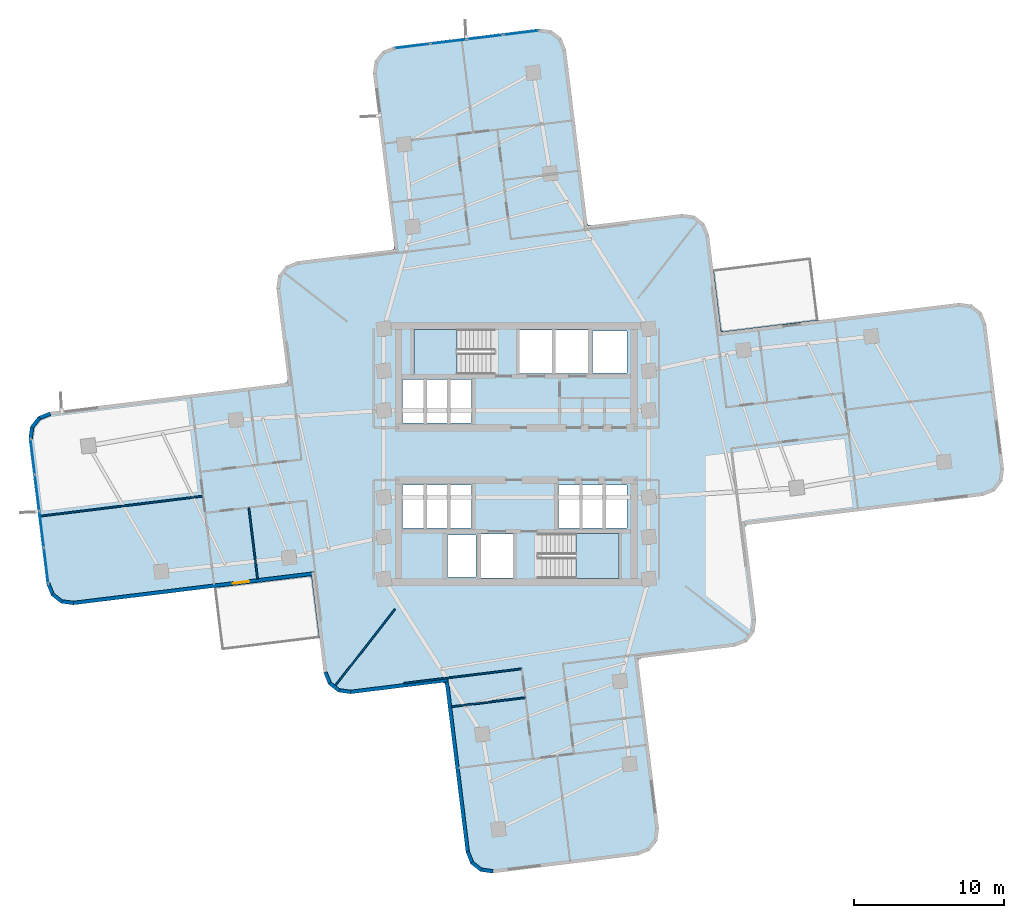
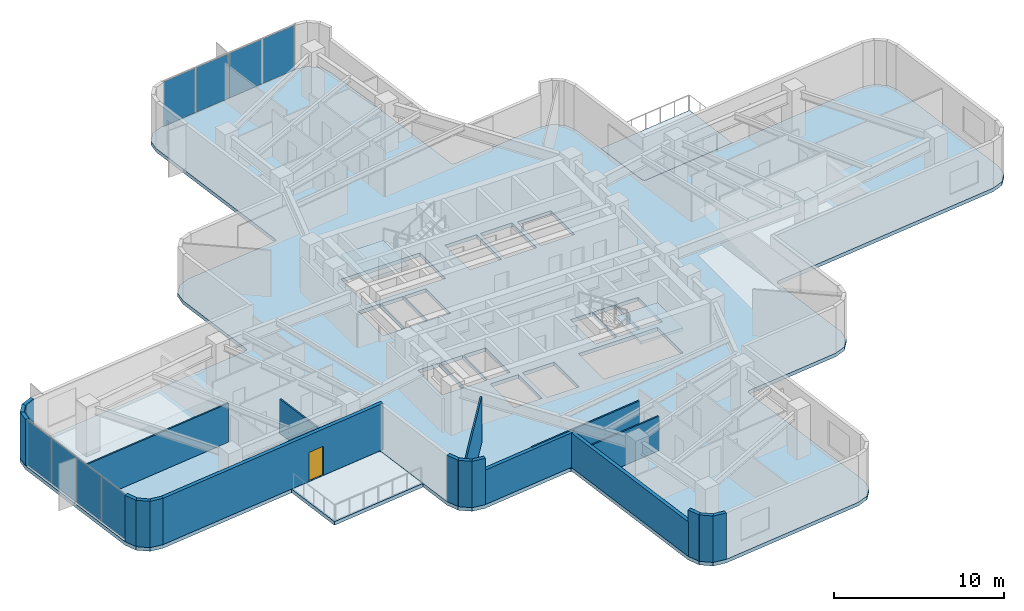
# One storey, part 6 of 13: 20 walls, 8 plates, 5 slabs, 1 door, 1 opening, 4 elements without a shape of their own.
"""IFC4 building model written with IfcOpenShell, lengths in metres."""

import ifcopenshell
import ifcopenshell.guid

model = None  # the IFC model being written
_history = None  # IfcOwnerHistory: only IFC2X3 demands one
_inside = {}  # id of a spatial element -> (the spatial element, [elements in it])
_under = {}  # id of a project, library or spatial element -> (it, [spatial elements below it])
_declared = {}  # id of a project -> (the project, [libraries it declares])
_typed = {}  # id of a type object -> (the type object, [elements of that type])
_made_of = {}  # id of a material, layer set ... -> (it, [elements and type objects made of it])


def new_model(schema):
    """Start an empty IFC model of exactly this schema.

    Asked for "IFC4X3", IfcOpenShell would pick the latest addendum, in which some entities
    have other attributes; the version numbers below select the first issue.
    IFC2X3 requires an IfcOwnerHistory on every rooted entity: one is made here for all.
    """
    global model, _history
    if schema == "IFC4X3":
        model = ifcopenshell.file(schema_version=(4, 3, 0, 0))
    else:
        model = ifcopenshell.file(schema=schema)
    _inside.clear()
    _under.clear()
    _declared.clear()
    _typed.clear()
    _made_of.clear()
    _history = None
    if model.schema == "IFC2X3":
        org = make("IfcOrganization", Name="unknown")
        user = make(
            "IfcPersonAndOrganization",
            ThePerson=make("IfcPerson", FamilyName="unknown"),
            TheOrganization=org,
        )
        app = make(
            "IfcApplication",
            ApplicationDeveloper=org,
            Version="unknown",
            ApplicationFullName="unknown",
            ApplicationIdentifier="unknown",
        )
        _history = make(
            "IfcOwnerHistory",
            OwningUser=user,
            OwningApplication=app,
            ChangeAction="ADDED",
            CreationDate=0,
        )
    return model


def make(cls, **values):
    """One entity of the class cls with the attributes given. An attribute that is None is left unset."""
    return model.create_entity(
        cls, **{name: value for name, value in values.items() if value is not None}
    )


def rooted(cls, **values):
    """An entity with a GlobalId (a new one), such as an element, a storey or a relation."""
    return make(cls, GlobalId=ifcopenshell.guid.new(), OwnerHistory=_history, **values)


def si_unit(unit_type, name, prefix=None):
    """IfcSIUnit, for example si_unit("LENGTHUNIT", "METRE", prefix="MILLI")."""
    return make("IfcSIUnit", UnitType=unit_type, Prefix=prefix, Name=name)


def assignment(units):
    """IfcUnitAssignment: the units of a project."""
    return None if units is None else make("IfcUnitAssignment", Units=units)


def point(xyz):
    """IfcCartesianPoint."""
    return None if xyz is None else make("IfcCartesianPoint", Coordinates=xyz)


def direction(xyz):
    """IfcDirection."""
    return None if xyz is None else make("IfcDirection", DirectionRatios=xyz)


def frame(location, z_axis=None, x_axis=None):
    """IfcAxis2Placement3D, a coordinate frame: its origin and axes. An axis left out is left unset."""
    return make(
        "IfcAxis2Placement3D",
        Location=point(location),
        Axis=direction(z_axis),
        RefDirection=direction(x_axis),
    )


def frame_2d(location, x_axis=None):
    """IfcAxis2Placement2D, a coordinate frame in the plane: its origin and x axis."""
    return make(
        "IfcAxis2Placement2D", Location=point(location), RefDirection=direction(x_axis)
    )


def origin():
    """The frame at (0, 0, 0) with its axes left unset."""
    return frame((0.0, 0.0, 0.0))


def origin_2d():
    """The frame at (0, 0) in the plane with its x axis left unset."""
    return frame_2d((0.0, 0.0))


def place(relative_to, where):
    """IfcLocalPlacement: puts the frame where relative to a parent placement (None: the world)."""
    return make(
        "IfcLocalPlacement", PlacementRelTo=relative_to, RelativePlacement=where
    )


def context(
    kind, dimensions, precision=None, world=None, true_north=None, identifier=None
):
    """IfcGeometricRepresentationContext, for example the 3D "Model" context."""
    return make(
        "IfcGeometricRepresentationContext",
        ContextIdentifier=identifier,
        ContextType=kind,
        CoordinateSpaceDimension=dimensions,
        Precision=precision,
        WorldCoordinateSystem=world,
        TrueNorth=true_north,
    )


def subcontext(parent, identifier, kind, view, scale=None):
    """IfcGeometricRepresentationSubContext, for example "Body" below "Model"."""
    return make(
        "IfcGeometricRepresentationSubContext",
        ContextIdentifier=identifier,
        ContextType=kind,
        ParentContext=parent,
        TargetScale=scale,
        TargetView=view,
    )


def project(units=None, contexts=None):
    """IfcProject with its units and contexts."""
    return rooted(
        "IfcProject",
        Name="project",
        RepresentationContexts=contexts,
        UnitsInContext=assignment(units),
    )


def spatial(cls, under=None, at=None, **own):
    """A site, building, storey or space (cls), placed at a placement, below another one or the project."""
    s = rooted(cls, ObjectPlacement=at, **own)
    if under is not None:
        _under.setdefault(under.id(), (under, []))[1].append(s)
    return s


def polyline(points):
    """IfcPolyline through the points."""
    return make("IfcPolyline", Points=[point(p) for p in points])


def profile(cls, at=None, kind="AREA", **sizes):
    """A parametric profile (cls). Its sizes go by their IFC names, for example OverallWidth=200.0."""
    return make(cls, ProfileType=kind, Position=at, **sizes)


def rectangle(**sizes):
    """IfcRectangleProfileDef."""
    return profile("IfcRectangleProfileDef", **sizes)


def outline(outer, holes=None, kind="AREA"):
    """IfcArbitraryClosedProfileDef: a profile drawn as a closed curve; with holes, ...WithVoids."""
    if holes is None:
        return make("IfcArbitraryClosedProfileDef", ProfileType=kind, OuterCurve=outer)
    return make(
        "IfcArbitraryProfileDefWithVoids",
        ProfileType=kind,
        OuterCurve=outer,
        InnerCurves=holes,
    )


def extrude(swept, where, along, depth):
    """IfcExtrudedAreaSolid: the profile swept, set in the frame where, extruded along a direction by depth."""
    return make(
        "IfcExtrudedAreaSolid",
        SweptArea=swept,
        Position=where,
        ExtrudedDirection=direction(along),
        Depth=depth,
    )


def shape(context_of_items, identifier, shape_type, items):
    """IfcShapeRepresentation: the items that make up one representation, for example the "Body"."""
    return make(
        "IfcShapeRepresentation",
        ContextOfItems=context_of_items,
        RepresentationIdentifier=identifier,
        RepresentationType=shape_type,
        Items=items,
    )


def material(Name=None, Category=None):
    """IfcMaterial."""
    return make("IfcMaterial", Name=Name, Category=Category)


def layer(
    of_material, thickness, ventilated=None, Name=None, Category=None, Priority=None
):
    """IfcMaterialLayer: one layer of a wall or slab, of a material (None: an air gap)."""
    return make(
        "IfcMaterialLayer",
        Material=of_material,
        LayerThickness=thickness,
        IsVentilated=ventilated,
        Name=Name,
        Category=Category,
        Priority=Priority,
    )


def layer_set(layers, Name=None):
    """IfcMaterialLayerSet."""
    return make("IfcMaterialLayerSet", MaterialLayers=layers, LayerSetName=Name)


def made_of(thing, what):
    """Note that an element or type object is made of a material, layer set ...; save() writes the relation."""
    if what is not None:
        _made_of.setdefault(what.id(), (what, []))[1].append(thing)
    return thing


def type_object(cls, material=None, **own):
    """A type object (cls), such as IfcWallType, which elements share."""
    return made_of(rooted(cls, **own), material)


def element(
    cls,
    number,
    at=None,
    inside=None,
    cuts=None,
    type_object=None,
    material=None,
    context=None,
    identifier="Body",
    shape_type=None,
    held_by="IfcProductDefinitionShape",
    body=None,
    shapes=None,
    **own,
):
    """One element of the class cls, such as IfcWall. Its Tag is "e" and its number.

    at: its placement. inside: the storey or other place that contains it. cuts: it is an
    opening in that element (IfcRelVoidsElement). A single representation is given by context,
    identifier, shape_type and body (its items); several are given by shapes. held_by: the class
    of the entity that holds the representations. save() writes the other relations.
    """
    e = rooted(cls, Tag="e%d" % number, ObjectPlacement=at, **own)
    if body is not None:
        shapes = [shape(context, identifier, shape_type, body)]
    if shapes is not None:
        e.Representation = make(held_by, Representations=shapes)
    if inside is not None:
        _inside.setdefault(inside.id(), (inside, []))[1].append(e)
    if cuts is not None:
        rooted(
            "IfcRelVoidsElement", RelatingBuildingElement=cuts, RelatedOpeningElement=e
        )
    if type_object is not None:
        _typed.setdefault(type_object.id(), (type_object, []))[1].append(e)
    return made_of(e, material)


def fill(opening, filler):
    """IfcRelFillsElement: the door or window that sits in an opening."""
    return rooted(
        "IfcRelFillsElement",
        RelatingOpeningElement=opening,
        RelatedBuildingElement=filler,
    )


def aggregate(whole, parts):
    """IfcRelAggregates: a whole, such as a stair, and the parts it consists of."""
    return rooted("IfcRelAggregates", RelatingObject=whole, RelatedObjects=parts)


def save(model, path):
    """Write the relations noted so far, then the file.

    IfcRelAggregates (storeys below a building ...), IfcRelContainedInSpatialStructure (elements
    in a storey), IfcRelDefinesByType, IfcRelAssociatesMaterial and IfcRelDeclares: one each for
    every whole, place, type object, material and project.
    """
    for whole, parts in _under.values():
        aggregate(whole, parts)
    for where, things in _inside.values():
        rooted(
            "IfcRelContainedInSpatialStructure",
            RelatedElements=things,
            RelatingStructure=where,
        )
    for kind, things in _typed.values():
        rooted("IfcRelDefinesByType", RelatedObjects=things, RelatingType=kind)
    for what, things in _made_of.values():
        rooted("IfcRelAssociatesMaterial", RelatedObjects=things, RelatingMaterial=what)
    for by, libraries in _declared.values():
        rooted("IfcRelDeclares", RelatingContext=by, RelatedDefinitions=libraries)
    model.write(path)


model = new_model("IFC4")

# Units and contexts
model_context = context("Model", 3, precision=1e-05, world=origin(), true_north=direction((0.0, 1.0)))
body_context = subcontext(model_context, "Body", "Model", "MODEL_VIEW")
ifc_project = project(units=[si_unit("LENGTHUNIT", "METRE"), si_unit("AREAUNIT", "SQUARE_METRE"), si_unit("VOLUMEUNIT", "CUBIC_METRE"), si_unit("PLANEANGLEUNIT", "RADIAN"), si_unit("MASSUNIT", "GRAM", prefix="KILO")], contexts=[model_context])

# Site, building, storey
site_placement = place(None, origin())
site = spatial("IfcSite", under=ifc_project, at=site_placement, CompositionType="ELEMENT")
building_placement = place(site_placement, origin())
building = spatial("IfcBuilding", under=site, at=building_placement, Name="Solmarez Civic Tower", CompositionType="ELEMENT")
storey_placement = place(building_placement, frame((0.0, 0.0, 82.080078125)))
storey = spatial("IfcBuildingStorey", under=building, at=storey_placement, Name="L21", CompositionType="ELEMENT", Elevation=82.080078125)

# Curtain wall, plates
ifc_material_1 = material(Name="Bronze Anodised Aluminium EN AW-6063 T6", Category="aluminium")
ifc_layer_1 = layer(ifc_material_1, 0.155029296875)
ifc_layer_set_1 = layer_set([ifc_layer_1], Name="Bronze Anodised Aluminium EN AW-6063 T6")
curtain_wall_type = type_object("IfcCurtainWallType", Name="CW-SYS-6", PredefinedType="NOTDEFINED", material=ifc_layer_set_1)
curtain_wall_1_placement = place(storey_placement, origin())
curtain_wall_1 = element("IfcCurtainWall", 1, at=curtain_wall_1_placement, inside=storey, type_object=curtain_wall_type, Name="L21 Stick-Built Curtain Wall 1", PredefinedType="NOTDEFINED")
ifc_material_2 = material(Name="Solar Control Low-E Laminated Vision Glass", Category="glass")
ifc_layer_2 = layer(ifc_material_2, 0.031982421875)
ifc_layer_set_2 = layer_set([ifc_layer_2], Name="Solar Control Low-E Laminated Vision Glass")
plate_type = type_object("IfcPlateType", Name="CWP-GLAZ-32", PredefinedType="CURTAIN_PANEL", material=ifc_layer_set_2)
plate_1_placement = place(storey_placement, frame((-31.406494140625, -7.449951171875, 0.06005859375), z_axis=(0.0, 0.0, 1.0), x_axis=(-0.121848970952, 0.992548652852, 0.0)))
plate_1 = element("IfcPlate", 2, at=plate_1_placement, type_object=plate_type, Name="CWS6 panel 1.1", PredefinedType="CURTAIN_PANEL", context=body_context, shape_type="SweptSolid", body=[
    extrude(rectangle(XDim=2.3447265625, YDim=0.031982421875, at=origin_2d()), origin(), (0.0, 0.0, 1.0), 3.219970703125),
])
plate_2_placement = place(storey_placement, frame((-31.70263671875, -5.03564453125, 0.06005859375), z_axis=(0.0, 0.0, 1.0), x_axis=(-0.121848970952, 0.992548652852, 0.0)))
plate_2 = element("IfcPlate", 3, at=plate_2_placement, type_object=plate_type, Name="CWS6 panel 2.1", PredefinedType="CURTAIN_PANEL", context=body_context, shape_type="SweptSolid", body=[
    extrude(rectangle(XDim=2.379638671875, YDim=0.031982421875, at=origin_2d()), origin(), (0.0, 0.0, 1.0), 3.219970703125),
])
plate_3_placement = place(storey_placement, frame((-32.001220703125, -2.604248046875, 0.06005859375), z_axis=(0.0, 0.0, 1.0), x_axis=(-0.121848970952, 0.992548652852, 0.0)))
plate_3 = element("IfcPlate", 4, at=plate_3_placement, type_object=plate_type, Name="CWS6 panel 3.1", PredefinedType="CURTAIN_PANEL", context=body_context, shape_type="SweptSolid", body=[
    extrude(rectangle(XDim=2.379638671875, YDim=0.031982421875, at=origin_2d()), origin(), (0.0, 0.0, 1.0), 3.219970703125),
])
plate_4_placement = place(storey_placement, frame((-32.297607421875, -0.190185546875, 0.06005859375), z_axis=(0.0, 0.0, 1.0), x_axis=(-0.121848970952, 0.992548652852, 0.0)))
plate_4 = element("IfcPlate", 5, at=plate_4_placement, type_object=plate_type, Name="CWS6 panel 4.1", PredefinedType="CURTAIN_PANEL", context=body_context, shape_type="SweptSolid", body=[
    extrude(rectangle(XDim=2.3447265625, YDim=0.031982421875, at=origin_2d()), origin(), (0.0, 0.0, 1.0), 3.219970703125),
])
aggregate(curtain_wall_1, [plate_1, plate_2, plate_3, plate_4])

curtain_wall_2_placement = place(storey_placement, origin())
curtain_wall_2 = element("IfcCurtainWall", 6, at=curtain_wall_2_placement, inside=storey, type_object=curtain_wall_type, Name="L21 Stick-Built Curtain Wall 2", PredefinedType="NOTDEFINED")
plate_5_placement = place(storey_placement, frame((-6.93798828125, 27.2373046875, 0.06005859375), z_axis=(0.0, 0.0, 1.0), x_axis=(0.992547137451, 0.121861314359, 0.0)))
plate_5 = element("IfcPlate", 7, at=plate_5_placement, type_object=plate_type, Name="CWS6 panel 1.1", PredefinedType="CURTAIN_PANEL", context=body_context, shape_type="SweptSolid", body=[
    extrude(rectangle(XDim=2.344482421875, YDim=0.031982421875, at=origin_2d()), origin(), (0.0, 0.0, 1.0), 3.219970703125),
])
plate_6_placement = place(storey_placement, frame((-4.524169921875, 27.53369140625, 0.06005859375), z_axis=(0.0, 0.0, 1.0), x_axis=(0.992547137451, 0.121861314359, 0.0)))
plate_6 = element("IfcPlate", 8, at=plate_6_placement, type_object=plate_type, Name="CWS6 panel 2.1", PredefinedType="CURTAIN_PANEL", context=body_context, shape_type="SweptSolid", body=[
    extrude(rectangle(XDim=2.37939453125, YDim=0.031982421875, at=origin_2d()), origin(), (0.0, 0.0, 1.0), 3.219970703125),
])
plate_7_placement = place(storey_placement, frame((-2.0927734375, 27.832275390625, 0.06005859375), z_axis=(0.0, 0.0, 1.0), x_axis=(0.992547137451, 0.121861314359, 0.0)))
plate_7 = element("IfcPlate", 9, at=plate_7_placement, type_object=plate_type, Name="CWS6 panel 3.1", PredefinedType="CURTAIN_PANEL", context=body_context, shape_type="SweptSolid", body=[
    extrude(rectangle(XDim=2.37939453125, YDim=0.031982421875, at=origin_2d()), origin(), (0.0, 0.0, 1.0), 3.219970703125),
])
plate_8_placement = place(storey_placement, frame((0.321044921875, 28.128662109375, 0.06005859375), z_axis=(0.0, 0.0, 1.0), x_axis=(0.992547137451, 0.121861314359, 0.0)))
plate_8 = element("IfcPlate", 10, at=plate_8_placement, type_object=plate_type, Name="CWS6 panel 4.1", PredefinedType="CURTAIN_PANEL", context=body_context, shape_type="SweptSolid", body=[
    extrude(rectangle(XDim=2.344482421875, YDim=0.031982421875, at=origin_2d()), origin(), (0.0, 0.0, 1.0), 3.219970703125),
])
aggregate(curtain_wall_2, [plate_5, plate_6, plate_7, plate_8])

# Stair, slab
ifc_material_3 = material(Name="Concrete C50/60", Category="concrete")
stair_type = type_object("IfcStairType", Name="STAIR-DOGLEG-140W-20R-1800", PredefinedType="HALF_TURN_STAIR", material=ifc_material_3)
stair_1_placement = place(storey_placement, origin())
stair_1 = element("IfcStair", 11, at=stair_1_placement, inside=storey, type_object=stair_type, Name="L21 North Core Protected Exit Stair ST-1", PredefinedType="HALF_TURN_STAIR")
ifc_layer_3 = layer(ifc_material_3, 0.199951171875)
ifc_layer_set_3 = layer_set([ifc_layer_3], Name="Concrete C50/60")
slab_type_1 = type_object("IfcSlabType", Name="SLAB-LANDING-200", PredefinedType="LANDING", material=ifc_layer_set_3)
slab_1_placement = place(storey_placement, frame((0.0, 0.0, 1.599853515625)))
slab_1 = element("IfcSlab", 12, at=slab_1_placement, type_object=slab_type_1, Name="ST-1 landing 1", PredefinedType="LANDING", context=body_context, shape_type="SweptSolid", body=[
    extrude(outline(polyline([(-3.969970703125, 8.320068359375), (-6.85009765625, 8.320068359375), (-6.85009765625, 5.320068359375), (-3.969970703125, 5.320068359375), (-3.969970703125, 8.320068359375)])), origin(), (0.0, 0.0, 1.0), 0.199951171875),
])
aggregate(stair_1, [slab_1])

stair_2_placement = place(storey_placement, origin())
stair_2 = element("IfcStair", 13, at=stair_2_placement, inside=storey, type_object=stair_type, Name="L21 South Core Protected Exit Stair ST-2", PredefinedType="HALF_TURN_STAIR")
slab_2_placement = place(storey_placement, frame((0.0, 0.0, 1.599853515625)))
slab_2 = element("IfcSlab", 14, at=slab_2_placement, type_object=slab_type_1, Name="ST-2 landing 1", PredefinedType="LANDING", context=body_context, shape_type="SweptSolid", body=[
    extrude(outline(polyline([(3.969970703125, -8.320068359375), (6.85009765625, -8.320068359375), (6.85009765625, -5.320068359375), (3.969970703125, -5.320068359375), (3.969970703125, -8.320068359375)])), origin(), (0.0, 0.0, 1.0), 0.199951171875),
])
aggregate(stair_2, [slab_2])

# Slabs
ifc_layer_4 = layer(ifc_material_3, 0.260009765625)
ifc_layer_set_4 = layer_set([ifc_layer_4], Name="Concrete C50/60")
slab_type_2 = type_object("IfcSlabType", Name="SLAB-TOWER-260", PredefinedType="FLOOR", material=ifc_layer_set_4)
slab_3_placement = place(storey_placement, frame((0.0, 0.0, -0.260009765625)))
element("IfcSlab", 15, at=slab_3_placement, inside=storey, type_object=slab_type_2, Name="L21 Structural Slab", PredefinedType="FLOOR", context=body_context, shape_type="SweptSolid", body=[
    extrude(outline(polyline([(-13.635986328125, -8.3349609375), (-12.863037109375, -14.626953125), (-12.552978515625, -15.39501953125), (-11.89990234375, -15.904052734375), (-11.080078125, -16.02001953125), (-4.967041015625, -15.26904296875), (-4.797119140625, -15.29296875), (-4.73193359375, -15.452880859375), (-3.362060546875, -26.60791015625), (-3.052001953125, -27.3759765625), (-2.39892578125, -27.885986328125), (-1.5791015625, -28.0009765625), (8.1279296875, -26.80908203125), (8.89599609375, -26.4990234375), (9.406005859375, -25.845947265625), (9.52099609375, -25.02587890625), (8.15087890625, -13.87109375), (8.175048828125, -13.699951171875), (8.3349609375, -13.635986328125), (14.626953125, -12.863037109375), (15.39501953125, -12.552978515625), (15.904052734375, -11.89990234375), (16.02001953125, -11.080078125), (15.26904296875, -4.967041015625), (15.29296875, -4.797119140625), (15.452880859375, -4.73193359375), (31.174072265625, -2.802001953125), (31.94189453125, -2.490966796875), (32.451904296875, -1.839111328125), (32.56689453125, -1.01904296875), (31.375, 8.68798828125), (31.06494140625, 9.4560546875), (30.412109375, 9.966064453125), (29.592041015625, 10.0810546875), (13.87109375, 8.15087890625), (13.699951171875, 8.175048828125), (13.635986328125, 8.3349609375), (12.863037109375, 14.626953125), (12.552978515625, 15.39501953125), (11.89990234375, 15.904052734375), (11.080078125, 16.02001953125), (4.967041015625, 15.26904296875), (4.797119140625, 15.29296875), (4.73193359375, 15.452880859375), (3.31396484375, 27.0048828125), (3.0029296875, 27.77294921875), (2.35107421875, 28.282958984375), (1.531005859375, 28.39794921875), (-8.177001953125, 27.2060546875), (-8.944091796875, 26.89599609375), (-9.4541015625, 26.242919921875), (-9.570068359375, 25.423095703125), (-8.15087890625, 13.87109375), (-8.175048828125, 13.699951171875), (-8.3349609375, 13.635986328125), (-14.626953125, 12.863037109375), (-15.39501953125, 12.552978515625), (-15.904052734375, 11.89990234375), (-16.02001953125, 11.080078125), (-15.26904296875, 4.967041015625), (-15.29296875, 4.797119140625), (-15.452880859375, 4.73193359375), (-31.174072265625, 2.802001953125), (-31.94189453125, 2.490966796875), (-32.451904296875, 1.839111328125), (-32.56689453125, 1.01904296875), (-31.375, -8.68798828125), (-31.06494140625, -9.4560546875), (-30.412109375, -9.966064453125), (-29.592041015625, -10.0810546875), (-13.87109375, -8.15087890625), (-13.699951171875, -8.175048828125), (-13.635986328125, -8.3349609375)]), holes=[polyline([(-1.449951171875, 8.320068359375), (-6.85009765625, 8.320068359375), (-6.85009765625, 5.320068359375), (-1.449951171875, 5.320068359375), (-1.449951171875, 8.320068359375)]), polyline([(1.449951171875, -8.320068359375), (6.85009765625, -8.320068359375), (6.85009765625, -5.320068359375), (1.449951171875, -5.320068359375), (1.449951171875, -8.320068359375)]), polyline([(0.219970703125, 5.360107421875), (2.3798828125, 5.360107421875), (2.3798828125, 8.280029296875), (0.219970703125, 8.280029296875), (0.219970703125, 5.360107421875)]), polyline([(2.6201171875, 5.360107421875), (4.780029296875, 5.360107421875), (4.780029296875, 8.280029296875), (2.6201171875, 8.280029296875), (2.6201171875, 5.360107421875)]), polyline([(-2.3798828125, -8.280029296875), (-0.219970703125, -8.280029296875), (-0.219970703125, -5.360107421875), (-2.3798828125, -5.360107421875), (-2.3798828125, -8.280029296875)]), polyline([(2.800048828125, -4.9599609375), (4.280029296875, -4.9599609375), (4.280029296875, -2.06005859375), (2.800048828125, -2.06005859375), (2.800048828125, -4.9599609375)]), polyline([(4.360107421875, -4.9599609375), (5.840087890625, -4.9599609375), (5.840087890625, -2.06005859375), (4.360107421875, -2.06005859375), (4.360107421875, -4.9599609375)]), polyline([(5.919921875, -4.9599609375), (7.39990234375, -4.9599609375), (7.39990234375, -2.06005859375), (5.919921875, -2.06005859375), (5.919921875, -4.9599609375)]), polyline([(-7.60009765625, -4.9599609375), (-6.1201171875, -4.9599609375), (-6.1201171875, -2.06005859375), (-7.60009765625, -2.06005859375), (-7.60009765625, -4.9599609375)]), polyline([(-6.0400390625, -4.9599609375), (-4.56005859375, -4.9599609375), (-4.56005859375, -2.06005859375), (-6.0400390625, -2.06005859375), (-6.0400390625, -4.9599609375)]), polyline([(-4.47998046875, -4.9599609375), (-3.0, -4.9599609375), (-3.0, -2.06005859375), (-4.47998046875, -2.06005859375), (-4.47998046875, -4.9599609375)]), polyline([(-7.60009765625, 2.06005859375), (-6.1201171875, 2.06005859375), (-6.1201171875, 4.9599609375), (-7.60009765625, 4.9599609375), (-7.60009765625, 2.06005859375)]), polyline([(-6.0400390625, 2.06005859375), (-4.56005859375, 2.06005859375), (-4.56005859375, 4.9599609375), (-6.0400390625, 4.9599609375), (-6.0400390625, 2.06005859375)]), polyline([(-4.47998046875, 2.06005859375), (-3.0, 2.06005859375), (-3.0, 4.9599609375), (-4.47998046875, 4.9599609375), (-4.47998046875, 2.06005859375)]), polyline([(5.10009765625, 5.419921875), (7.39990234375, 5.419921875), (7.39990234375, 8.219970703125), (5.10009765625, 8.219970703125), (5.10009765625, 5.419921875)]), polyline([(-4.60009765625, -8.219970703125), (-2.699951171875, -8.219970703125), (-2.699951171875, -5.419921875), (-4.60009765625, -5.419921875), (-4.60009765625, -8.219970703125)])]), origin(), (0.0, 0.0, 1.0), 0.260009765625),
])
slab_4_placement = place(storey_placement, frame((0.0, 0.0, -0.260009765625)))
element("IfcSlab", 16, at=slab_4_placement, inside=storey, type_object=slab_type_2, Name="L21 Re-entrant Corner Winter-Garden Balcony NE", PredefinedType="FLOOR", context=body_context, shape_type="SweptSolid", body=[
    extrude(outline(polyline([(13.152099609375, 12.2939453125), (13.637939453125, 8.3349609375), (13.701904296875, 8.177001953125), (13.87109375, 8.153076171875), (20.1630859375, 8.926025390625), (19.65087890625, 13.092041015625), (13.152099609375, 12.2939453125)])), origin(), (0.0, 0.0, 1.0), 0.260009765625),
])
slab_5_placement = place(storey_placement, frame((0.0, 0.0, -0.260009765625)))
element("IfcSlab", 17, at=slab_5_placement, inside=storey, type_object=slab_type_2, Name="L21 Re-entrant Corner Winter-Garden Balcony SW", PredefinedType="FLOOR", context=body_context, shape_type="SweptSolid", body=[
    extrude(outline(polyline([(-13.152099609375, -12.2939453125), (-13.637939453125, -8.3349609375), (-13.701904296875, -8.177001953125), (-13.87109375, -8.153076171875), (-20.1630859375, -8.926025390625), (-19.65087890625, -13.092041015625), (-13.152099609375, -12.2939453125)])), origin(), (0.0, 0.0, 1.0), 0.260009765625),
])

# Wall, opening, door
ifc_material_4 = material(Name="Precast concrete C40/50", Category="concrete")
ifc_layer_5 = layer(ifc_material_4, 0.239990234375)
ifc_layer_set_5 = layer_set([ifc_layer_5], Name="Precast concrete C40/50")
wall_type_1 = type_object("IfcWallType", Name="WALL-EXT-240", PredefinedType="SOLIDWALL", material=ifc_layer_set_5)
wall_1_placement = place(storey_placement, frame((-13.4619140625, -7.97998046875, 0.0), z_axis=(0.0, 0.0, 1.0), x_axis=(-0.992550299081, -0.121835560463, 0.0)))
wall_1 = element("IfcWall", 18, at=wall_1_placement, inside=storey, type_object=wall_type_1, Name="L21 Exterior Precast Wall 2", PredefinedType="SOLIDWALL", context=body_context, shape_type="SweptSolid", body=[
    extrude(rectangle(XDim=16.275390625, YDim=0.239990234375, at=frame_2d((8.1376953125, 0.0))), origin(), (0.0, 0.0, 1.0), 3.33984375),
])
opening_placement = place(wall_1_placement, frame((4.39990234375, 0.0, 0.0)))
opening = element("IfcOpeningElement", 19, at=opening_placement, cuts=wall_1, Name="Opening D-06", PredefinedType="OPENING", context=body_context, shape_type="SweptSolid", body=[
    extrude(rectangle(XDim=1.10009765625, YDim=2.10009765625, at=frame_2d((0.550048828125, 1.050048828125))), frame((0.0, 0.1298828125, 0.0), z_axis=(0.0, -1.0, 0.0), x_axis=(1.0, 0.0, 0.0)), (0.0, 0.0, 1.0), 0.260009765625),
])
ifc_material_5 = material(Name="Bronze Anodised Aluminium Glazed Terrace Door", Category="aluminium")
door_type = type_object("IfcDoorType", Name="DOOR-TERR-1100", OperationType="NOTDEFINED", PredefinedType="DOOR", material=ifc_material_5)
door_placement = place(opening_placement, origin())
door = element("IfcDoor", 20, at=door_placement, inside=storey, type_object=door_type, Name="L21 Outdoor Terrace Glazed Door", OperationType="SINGLE_SWING_RIGHT", OverallHeight=2.10009765625, OverallWidth=1.10009765625, PredefinedType="DOOR", context=body_context, shape_type="SweptSolid", body=[
    extrude(rectangle(XDim=1.10009765625, YDim=2.10009765625, at=frame_2d((0.550048828125, 1.050048828125))), frame((0.0, 0.02490234375, 0.0), z_axis=(0.0, -1.0, 0.0), x_axis=(1.0, 0.0, 0.0)), (0.0, 0.0, 1.0), 0.050048828125),
])
fill(opening, door)

# Walls
wall_2_placement = place(storey_placement, frame((-29.56591796875, -9.962890625, 0.0), z_axis=(0.0, 0.0, 1.0), x_axis=(-0.990579937989, 0.136935701899, 0.0)))
element("IfcWall", 21, at=wall_2_placement, inside=storey, type_object=wall_type_1, Name="L21 Exterior Precast Wall 3", PredefinedType="SOLIDWALL", context=body_context, shape_type="SweptSolid", body=[
    extrude(rectangle(XDim=0.830810546875, YDim=0.239990234375, at=frame_2d((0.41552734375, 0.0))), origin(), (0.0, 0.0, 1.0), 3.33984375),
])
wall_3_placement = place(storey_placement, frame((-30.343994140625, -9.866943359375, 0.0), z_axis=(0.0, 0.0, 1.0), x_axis=(-0.788996702001, 0.614397431824, 0.0)))
element("IfcWall", 22, at=wall_3_placement, inside=storey, type_object=wall_type_1, Name="L21 Exterior Precast Wall 4", PredefinedType="SOLIDWALL", context=body_context, shape_type="SweptSolid", body=[
    extrude(rectangle(XDim=0.813720703125, YDim=0.239990234375, at=frame_2d((0.40673828125, 0.0))), origin(), (0.0, 0.0, 1.0), 3.33984375),
])
for number, where, z_axis, x_axis, name in (
    (23, (-30.95703125, -9.405029296875, 0.0), (0.0, 0.0, 1.0), (-0.373519459995, 0.927622343955, 0.0), "L21 Exterior Precast Wall 5"),
    (24, (-32.448974609375, 0.992919921875, 0.0), (0.0, 0.0, 1.0), (0.138538220487, 0.990357087855, 0.0), "L21 Exterior Precast Wall 7"),
):
    element("IfcWall", number, at=place(storey_placement, frame(where, z_axis=z_axis, x_axis=x_axis)), inside=storey, type_object=wall_type_1, Name=name, PredefinedType="SOLIDWALL", context=body_context, shape_type="SweptSolid", body=[
        extrude(rectangle(XDim=0.830078125, YDim=0.239990234375, at=frame_2d((0.4150390625, 0.0))), origin(), (0.0, 0.0, 1.0), 3.33984375),
    ])
wall_4_placement = place(storey_placement, frame((-32.35205078125, 1.77001953125, 0.0), z_axis=(0.0, 0.0, 1.0), x_axis=(0.614397431824, 0.788996702001, 0.0)))
element("IfcWall", 25, at=wall_4_placement, inside=storey, type_object=wall_type_1, Name="L21 Exterior Precast Wall 8", PredefinedType="SOLIDWALL", context=body_context, shape_type="SweptSolid", body=[
    extrude(rectangle(XDim=0.813720703125, YDim=0.239990234375, at=frame_2d((0.40673828125, 0.0))), origin(), (0.0, 0.0, 1.0), 3.33984375),
])
wall_5_placement = place(storey_placement, frame((-31.889892578125, 2.383056640625, 0.0), z_axis=(0.0, 0.0, 1.0), x_axis=(0.927007742151, 0.375042192283, 0.0)))
element("IfcWall", 26, at=wall_5_placement, inside=storey, type_object=wall_type_1, Name="L21 Exterior Precast Wall 9", PredefinedType="SOLIDWALL", context=body_context, shape_type="SweptSolid", body=[
    extrude(rectangle(XDim=0.829345703125, YDim=0.239990234375, at=frame_2d((0.41455078125, 0.0))), origin(), (0.0, 0.0, 1.0), 3.33984375),
])
wall_6_placement = place(storey_placement, frame((-1.552978515625, -27.883056640625, 0.0), z_axis=(0.0, 0.0, 1.0), x_axis=(-0.990540037659, 0.137224027762, 0.0)))
element("IfcWall", 27, at=wall_6_placement, inside=storey, type_object=wall_type_1, Name="L21 Exterior Precast Wall 61", PredefinedType="SOLIDWALL", context=body_context, shape_type="SweptSolid", body=[
    extrude(rectangle(XDim=0.830810546875, YDim=0.239990234375, at=frame_2d((0.41552734375, 0.0))), origin(), (0.0, 0.0, 1.0), 3.33984375),
])
wall_7_placement = place(storey_placement, frame((-2.3310546875, -27.787109375, 0.0), z_axis=(0.0, 0.0, 1.0), x_axis=(-0.788156162836, 0.615475314683, 0.0)))
element("IfcWall", 28, at=wall_7_placement, inside=storey, type_object=wall_type_1, Name="L21 Exterior Precast Wall 62", PredefinedType="SOLIDWALL", context=body_context, shape_type="SweptSolid", body=[
    extrude(rectangle(XDim=0.814453125, YDim=0.239990234375, at=frame_2d((0.4072265625, 0.0))), origin(), (0.0, 0.0, 1.0), 3.33984375),
])
wall_8_placement = place(storey_placement, frame((-2.944091796875, -27.323974609375, 0.0), z_axis=(0.0, 0.0, 1.0), x_axis=(-0.37367418264, 0.92756002783, 0.0)))
element("IfcWall", 29, at=wall_8_placement, inside=storey, type_object=wall_type_1, Name="L21 Exterior Precast Wall 63", PredefinedType="SOLIDWALL", context=body_context, shape_type="SweptSolid", body=[
    extrude(rectangle(XDim=0.8291015625, YDim=0.239990234375, at=frame_2d((0.41455078125, 0.0))), origin(), (0.0, 0.0, 1.0), 3.33984375),
])
wall_9_placement = place(storey_placement, frame((-3.241943359375, -26.60302734375, 0.0), z_axis=(0.0, 0.0, 1.0), x_axis=(-0.121890578705, 0.992543544044, 0.0)))
element("IfcWall", 30, at=wall_9_placement, inside=storey, type_object=wall_type_1, Name="L21 Exterior Precast Wall 64", PredefinedType="SOLIDWALL", context=body_context, shape_type="SweptSolid", body=[
    extrude(rectangle(XDim=11.67529296875, YDim=0.239990234375, at=frame_2d((5.837646484375, 0.0))), origin(), (0.0, 0.0, 1.0), 2.48583984375),
])
wall_10_placement = place(storey_placement, frame((-4.55810546875, -15.097900390625, 0.0), z_axis=(0.0, 0.0, 1.0), x_axis=(-0.992537639855, -0.121938646341, 0.0)))
element("IfcWall", 31, at=wall_10_placement, inside=storey, type_object=wall_type_1, Name="L21 Exterior Precast Wall 67", PredefinedType="SOLIDWALL", context=body_context, shape_type="SweptSolid", body=[
    extrude(rectangle(XDim=6.59521484375, YDim=0.239990234375, at=frame_2d((3.297607421875, 0.0))), origin(), (0.0, 0.0, 1.0), 2.48583984375),
])
wall_11_placement = place(storey_placement, frame((-11.053955078125, -15.902099609375, 0.0), z_axis=(0.0, 0.0, 1.0), x_axis=(-0.990379629694, 0.138376981782, 0.0)))
element("IfcWall", 32, at=wall_11_placement, inside=storey, type_object=wall_type_1, Name="L21 Exterior Precast Wall 68", PredefinedType="SOLIDWALL", context=body_context, shape_type="SweptSolid", body=[
    extrude(rectangle(XDim=0.8310546875, YDim=0.239990234375, at=frame_2d((0.41552734375, 0.0))), origin(), (0.0, 0.0, 1.0), 3.33984375),
])
wall_12_placement = place(storey_placement, frame((-11.83203125, -15.804931640625, 0.0), z_axis=(0.0, 0.0, 1.0), x_axis=(-0.788996702001, 0.614397431824, 0.0)))
element("IfcWall", 33, at=wall_12_placement, inside=storey, type_object=wall_type_1, Name="L21 Exterior Precast Wall 69", PredefinedType="SOLIDWALL", context=body_context, shape_type="SweptSolid", body=[
    extrude(rectangle(XDim=0.813720703125, YDim=0.239990234375, at=frame_2d((0.40673828125, 0.0))), origin(), (0.0, 0.0, 1.0), 3.33984375),
])
wall_13_placement = place(storey_placement, frame((-12.445068359375, -15.343017578125, 0.0), z_axis=(0.0, 0.0, 1.0), x_axis=(-0.37326634174, 0.927724225254, 0.0)))
element("IfcWall", 34, at=wall_13_placement, inside=storey, type_object=wall_type_1, Name="L21 Exterior Precast Wall 70", PredefinedType="SOLIDWALL", context=body_context, shape_type="SweptSolid", body=[
    extrude(rectangle(XDim=0.830078125, YDim=0.239990234375, at=frame_2d((0.4150390625, 0.0))), origin(), (0.0, 0.0, 1.0), 3.33984375),
])
ifc_material_6 = material(Name="Gypsum Board Acoustic Steel-Stud Partition", Category="steel")
ifc_layer_6 = layer(ifc_material_6, 0.10009765625)
ifc_layer_set_6 = layer_set([ifc_layer_6], Name="Gypsum Board Acoustic Steel-Stud Partition")
wall_type_2 = type_object("IfcWallType", Name="WALL-INT-PART-100", PredefinedType="PARTITIONING", material=ifc_layer_set_6)
wall_14_placement = place(storey_placement, frame((-8.110107421875, -10.3798828125, 0.0), z_axis=(0.0, 0.0, 1.0), x_axis=(-0.615665236773, -0.788007814828, 0.0)))
element("IfcWall", 35, at=wall_14_placement, inside=storey, type_object=wall_type_2, Name="L21 Interior Partition PT-L21-QDIV-3", PredefinedType="PARTITIONING", context=body_context, shape_type="SweptSolid", body=[
    extrude(rectangle(XDim=6.482421875, YDim=0.10009765625, at=frame_2d((3.2412109375, 0.0))), origin(), (0.0, 0.0, 1.0), 3.33984375),
])
wall_15_placement = place(storey_placement, frame((-17.864013671875, -3.60400390625, 0.0), z_axis=(0.0, 0.0, 1.0), x_axis=(0.121997782455, -0.992530372873, 0.0)))
element("IfcWall", 36, at=wall_15_placement, inside=storey, type_object=wall_type_2, Name="L21 Interior Partition PT-L21-W-LM", PredefinedType="PARTITIONING", context=body_context, shape_type="SweptSolid", body=[
    extrude(rectangle(XDim=4.794921875, YDim=0.10009765625, at=frame_2d((2.3974609375, 0.0))), origin(), (0.0, 0.0, 1.0), 2.48583984375),
])
wall_16_placement = place(storey_placement, frame((-20.971923828125, -2.826904296875, 0.0), z_axis=(0.0, 0.0, 1.0), x_axis=(-0.992550340633, -0.121835221953, 0.0)))
element("IfcWall", 37, at=wall_16_placement, inside=storey, type_object=wall_type_2, Name="L21 Interior Partition PT-L21-W-TM", PredefinedType="PARTITIONING", context=body_context, shape_type="SweptSolid", body=[
    extrude(rectangle(XDim=10.8349609375, YDim=0.10009765625, at=frame_2d((5.41748046875, 0.0))), origin(), (0.0, 0.0, 1.0), 2.79296875),
])
wall_17_placement = place(storey_placement, frame((-7.509033203125, -15.320068359375, 0.0), z_axis=(0.0, 0.0, 1.0), x_axis=(0.992529957607, 0.122001160868, 0.0)))
element("IfcWall", 38, at=wall_17_placement, inside=storey, type_object=wall_type_2, Name="L21 Interior Partition PT-L21-S-EFR", PredefinedType="PARTITIONING", context=body_context, shape_type="SweptSolid", body=[
    extrude(rectangle(XDim=7.950439453125, YDim=0.10009765625, at=frame_2d((3.97509765625, 0.0))), origin(), (0.0, 0.0, 1.0), 2.48583984375),
])
wall_18_placement = place(storey_placement, frame((-4.35009765625, -16.885986328125, 0.0), z_axis=(0.0, 0.0, 1.0), x_axis=(0.992554700093, 0.121799701653, 0.0)))
element("IfcWall", 39, at=wall_18_placement, inside=storey, type_object=wall_type_2, Name="L21 Interior Partition PT-L21-S-RM", PredefinedType="PARTITIONING", context=body_context, shape_type="SweptSolid", body=[
    extrude(rectangle(XDim=4.97509765625, YDim=0.10009765625, at=frame_2d((2.487548828125, 0.0))), origin(), (0.0, 0.0, 1.0), 2.48583984375),
])

save(model, "model.ifc")
